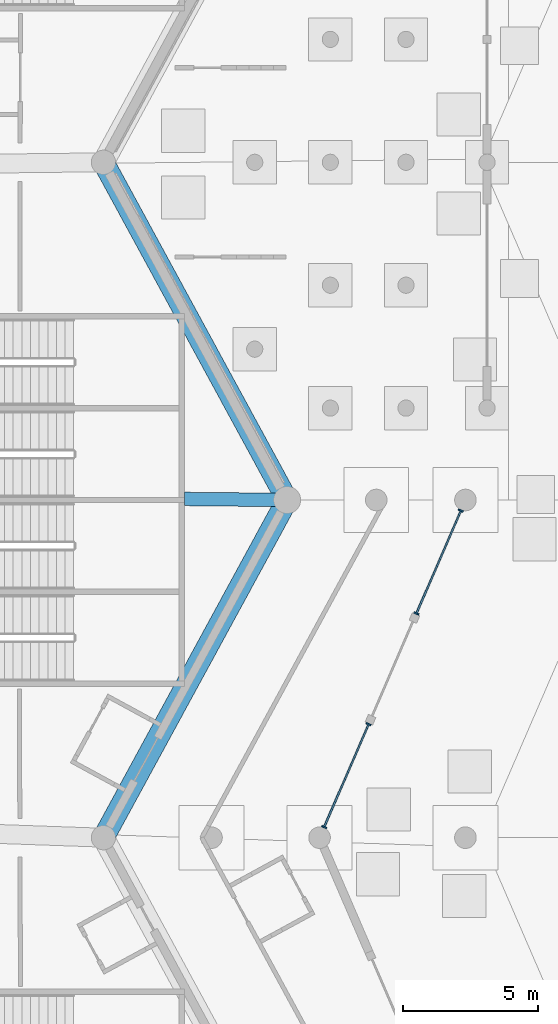
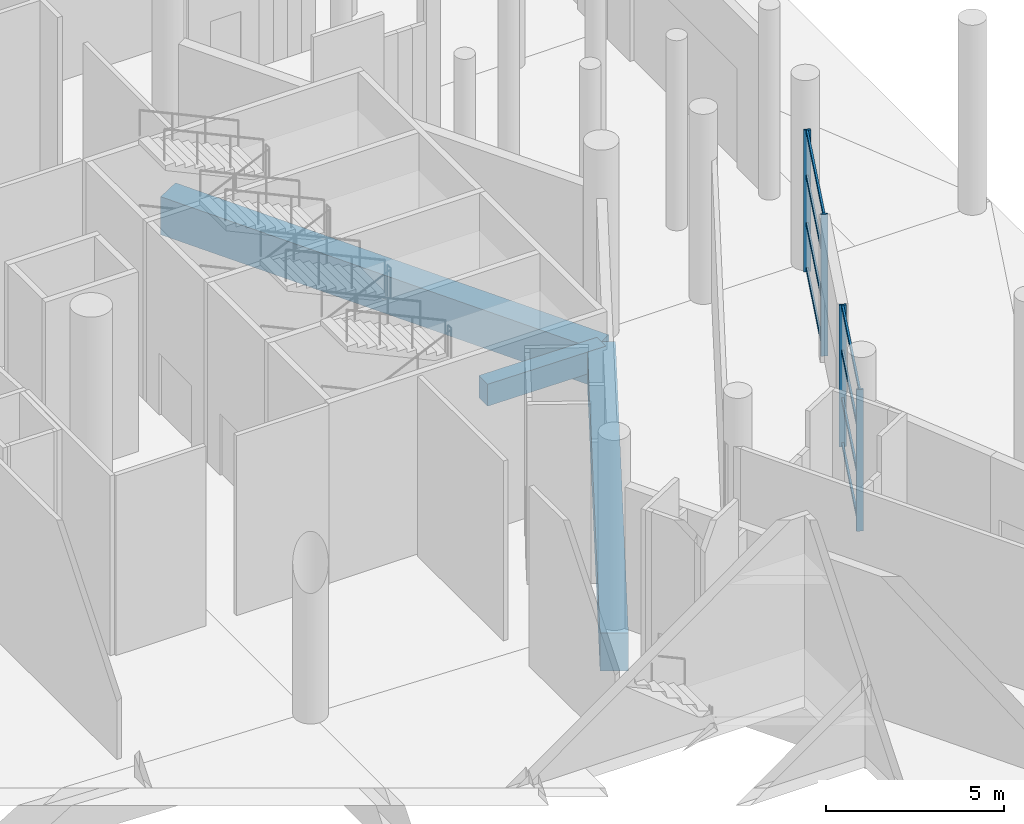
# One storey, part 41 of 255: 12 members, 3 beams, 2 elements without a shape of their own.
"""IFC4 building model written with IfcOpenShell, lengths in metres."""

from ifc_helpers import new_model, si_unit, direction, frame, origin, origin_2d, place, context, subcontext, project, spatial, rectangle, extrude, material, layer, layer_set, material_profile, profile_set, type_object, element, aggregate, save


model = new_model("IFC4")

# Units and contexts
model_context = context("Model", 3, precision=1e-05, world=origin(), true_north=direction((0.0, 1.0)))
body_context = subcontext(model_context, "Body", "Model", "MODEL_VIEW")
ifc_project = project(units=[si_unit("LENGTHUNIT", "METRE"), si_unit("AREAUNIT", "SQUARE_METRE"), si_unit("VOLUMEUNIT", "CUBIC_METRE"), si_unit("PLANEANGLEUNIT", "RADIAN"), si_unit("MASSUNIT", "GRAM", prefix="KILO")], contexts=[model_context])

# Site, building, storey
site_placement = place(None, origin())
site = spatial("IfcSite", under=ifc_project, at=site_placement, CompositionType="ELEMENT")
building_placement = place(site_placement, origin())
building = spatial("IfcBuilding", under=site, at=building_placement, Name="Meseta Stadium", CompositionType="ELEMENT")
storey_placement = place(building_placement, origin())
storey = spatial("IfcBuildingStorey", under=building, at=storey_placement, Name="L00", CompositionType="ELEMENT", Elevation=0.0)

# Beams
ifc_material_1 = material(Name="Concrete C40/50", Category="concrete")
ifc_material_profile_1 = material_profile(ifc_material_1, rectangle(XDim=0.5, YDim=0.75, at=origin_2d()), Name="RC 500x750")
ifc_profile_set_1 = profile_set([ifc_material_profile_1], Name="Concrete C40/50")
beam_type_1 = type_object("IfcBeamType", Name="RC beam 500x750", PredefinedType="BEAM", material=ifc_profile_set_1)
beam_placement = place(storey_placement, frame((97.60009765625, -6.2109375, -0.77490234375), z_axis=(0.999947163614, -0.010279590477, 0.0), x_axis=(0.010279590477, 0.999947163614, 0.0)))
element("IfcBeam", 1, at=beam_placement, inside=storey, type_object=beam_type_1, Name="L00 radial beam frame 4 line P to R", PredefinedType="BEAM", context=body_context, shape_type="SweptSolid", body=[
    extrude(rectangle(XDim=0.5, YDim=0.75, at=origin_2d()), origin(), (0.0, 0.0, 1.0), 3.800048828125),
])
ifc_material_2 = material(Name="Concrete C40/50", Category="concrete")
ifc_material_profile_2 = material_profile(ifc_material_2, rectangle(XDim=0.800048828125, YDim=1.300048828125, at=origin_2d()), Name="RC 800x1300")
ifc_profile_set_2 = profile_set([ifc_material_profile_2], Name="Concrete C40/50")
beam_type_2 = type_object("IfcBeamType", Name="RC beam 800x1300", PredefinedType="BEAM", material=ifc_profile_set_2)
for number, where, z_axis, x_axis, name in (
    (2, (94.60009765625, -18.75, -1.050048828125), (0.47785649891, 0.878437912689, 0.0), (-0.878437912689, 0.47785649891, 0.0), "L00 ring beam frame 3 line R"),
    (3, (101.39990234375, -6.25, -1.050048828125), (-0.47785649891, 0.878437912689, 0.0), (-0.878437912689, -0.47785649891, 0.0), "L00 ring beam frame 4 line R"),
):
    element("IfcBeam", number, at=place(storey_placement, frame(where, z_axis=z_axis, x_axis=x_axis)), inside=storey, type_object=beam_type_2, Name=name, PredefinedType="BEAM", context=body_context, shape_type="SweptSolid", body=[
        extrude(rectangle(XDim=0.800048828125, YDim=1.300048828125, at=origin_2d()), origin(), (0.0, 0.0, 1.0), 14.229736328125),
    ])

# Curtain wall, members
ifc_material_3 = material(Name="Aluminium", Category="aluminium")
ifc_layer = layer(ifc_material_3, 0.199951171875)
ifc_layer_set = layer_set([ifc_layer], Name="Ring shopfront curtain wall")
curtain_wall_type = type_object("IfcCurtainWallType", Name="Ring shopfront curtain wall", PredefinedType="NOTDEFINED", material=ifc_layer_set)
curtain_wall_1_placement = place(storey_placement, origin())
curtain_wall_1 = element("IfcCurtainWall", 4, at=curtain_wall_1_placement, inside=storey, type_object=curtain_wall_type, Name="Shopfront glazing F03a", PredefinedType="NOTDEFINED")
ifc_material_4 = material(Name="Aluminium", Category="aluminium")
ifc_material_profile_3 = material_profile(ifc_material_4, rectangle(XDim=0.199951171875, YDim=0.06005859375, at=origin_2d()), Name="CW 200x60")
ifc_profile_set_3 = profile_set([ifc_material_profile_3], Name="Aluminium")
member_type_1 = type_object("IfcMemberType", Name="Ring CW mullion 60x200", PredefinedType="MULLION", material=ifc_profile_set_3)
member_1_placement = place(storey_placement, frame((102.7705078125, -18.355224609375, 0.0), z_axis=(0.0, 0.0, 1.0), x_axis=(-0.918001803218, 0.396576208678, 0.0)))
member_1 = element("IfcMember", 5, at=member_1_placement, type_object=member_type_1, Name="CWR1 mullion 1", PredefinedType="MULLION", context=body_context, shape_type="SweptSolid", body=[
    extrude(rectangle(XDim=0.199951171875, YDim=0.06005859375, at=origin_2d()), origin(), (0.0, 0.0, 1.0), 4.85009765625),
])
member_2_placement = place(storey_placement, frame((104.41552734375, -14.547119140625, 0.0), z_axis=(0.0, 0.0, 1.0), x_axis=(-0.918001803218, 0.396576208678, 0.0)))
member_2 = element("IfcMember", 6, at=member_2_placement, type_object=member_type_1, Name="CWR1 mullion 2", PredefinedType="MULLION", context=body_context, shape_type="SweptSolid", body=[
    extrude(rectangle(XDim=0.199951171875, YDim=0.06005859375, at=origin_2d()), origin(), (0.0, 0.0, 1.0), 4.85009765625),
])

curtain_wall_2_placement = place(storey_placement, origin())
curtain_wall_2 = element("IfcCurtainWall", 7, at=curtain_wall_2_placement, inside=storey, type_object=curtain_wall_type, Name="Shopfront glazing F03b", PredefinedType="NOTDEFINED")
member_3_placement = place(storey_placement, frame((106.184326171875, -10.452880859375, 0.0), z_axis=(0.0, 0.0, 1.0), x_axis=(-0.918001803218, 0.396576208678, 0.0)))
member_3 = element("IfcMember", 8, at=member_3_placement, type_object=member_type_1, Name="CWR1 mullion 1", PredefinedType="MULLION", context=body_context, shape_type="SweptSolid", body=[
    extrude(rectangle(XDim=0.199951171875, YDim=0.06005859375, at=origin_2d()), origin(), (0.0, 0.0, 1.0), 4.85009765625),
])
member_4_placement = place(storey_placement, frame((107.82958984375, -6.644775390625, 0.0), z_axis=(0.0, 0.0, 1.0), x_axis=(-0.918001803218, 0.396576208678, 0.0)))
member_4 = element("IfcMember", 9, at=member_4_placement, type_object=member_type_1, Name="CWR1 mullion 2", PredefinedType="MULLION", context=body_context, shape_type="SweptSolid", body=[
    extrude(rectangle(XDim=0.199951171875, YDim=0.06005859375, at=origin_2d()), origin(), (0.0, 0.0, 1.0), 4.85009765625),
])

# Member
ifc_material_5 = material(Name="Aluminium", Category="aluminium")
ifc_material_profile_4 = material_profile(ifc_material_5, rectangle(XDim=0.06005859375, YDim=0.14990234375, at=origin_2d()), Name="CW 60x150")
ifc_profile_set_4 = profile_set([ifc_material_profile_4], Name="Aluminium")
member_type_2 = type_object("IfcMemberType", Name="Ring CW transom 60x150", PredefinedType="USERDEFINED", material=ifc_profile_set_4)
member_5_placement = place(storey_placement, frame((102.782470703125, -18.32763671875, 0.074951171875), z_axis=(0.396591585893, 0.917995160118, 0.0), x_axis=(-0.917995160118, 0.396591585893, 0.0)))
member_5 = element("IfcMember", 10, at=member_5_placement, type_object=member_type_2, Name="CWR1 transom 1.1", ObjectType="TRANSOM", PredefinedType="USERDEFINED", context=body_context, shape_type="SweptSolid", body=[
    extrude(rectangle(XDim=0.06005859375, YDim=0.14990234375, at=origin_2d()), origin(), (0.0, 0.0, 1.0), 4.088134765625),
])

member_6_placement = place(storey_placement, frame((102.782470703125, -18.32763671875, 1.61669921875), z_axis=(0.396591585893, 0.917995160118, 0.0), x_axis=(-0.917995160118, 0.396591585893, 0.0)))
member_6 = element("IfcMember", 11, at=member_6_placement, type_object=member_type_2, Name="CWR1 transom 1.2", ObjectType="TRANSOM", PredefinedType="USERDEFINED", context=body_context, shape_type="SweptSolid", body=[
    extrude(rectangle(XDim=0.06005859375, YDim=0.14990234375, at=origin_2d()), origin(), (0.0, 0.0, 1.0), 4.088134765625),
])

member_7_placement = place(storey_placement, frame((102.782470703125, -18.32763671875, 3.2333984375), z_axis=(0.396591585893, 0.917995160118, 0.0), x_axis=(-0.917995160118, 0.396591585893, 0.0)))
member_7 = element("IfcMember", 12, at=member_7_placement, type_object=member_type_2, Name="CWR1 transom 1.3", ObjectType="TRANSOM", PredefinedType="USERDEFINED", context=body_context, shape_type="SweptSolid", body=[
    extrude(rectangle(XDim=0.06005859375, YDim=0.14990234375, at=origin_2d()), origin(), (0.0, 0.0, 1.0), 4.088134765625),
])

member_8_placement = place(storey_placement, frame((102.782470703125, -18.32763671875, 4.77490234375), z_axis=(0.396591585893, 0.917995160118, 0.0), x_axis=(-0.917995160118, 0.396591585893, 0.0)))
member_8 = element("IfcMember", 13, at=member_8_placement, type_object=member_type_2, Name="CWR1 transom 1.4", ObjectType="TRANSOM", PredefinedType="USERDEFINED", context=body_context, shape_type="SweptSolid", body=[
    extrude(rectangle(XDim=0.06005859375, YDim=0.14990234375, at=origin_2d()), origin(), (0.0, 0.0, 1.0), 4.088134765625),
])

aggregate(curtain_wall_1, [member_1, member_2, member_5, member_6, member_7, member_8])

member_9_placement = place(storey_placement, frame((106.1962890625, -10.42529296875, 0.074951171875), z_axis=(0.396591585893, 0.917995160118, 0.0), x_axis=(-0.917995160118, 0.396591585893, 0.0)))
member_9 = element("IfcMember", 14, at=member_9_placement, type_object=member_type_2, Name="CWR1 transom 1.1", ObjectType="TRANSOM", PredefinedType="USERDEFINED", context=body_context, shape_type="SweptSolid", body=[
    extrude(rectangle(XDim=0.06005859375, YDim=0.14990234375, at=origin_2d()), origin(), (0.0, 0.0, 1.0), 4.088134765625),
])

member_10_placement = place(storey_placement, frame((106.1962890625, -10.42529296875, 1.61669921875), z_axis=(0.396591585893, 0.917995160118, 0.0), x_axis=(-0.917995160118, 0.396591585893, 0.0)))
member_10 = element("IfcMember", 15, at=member_10_placement, type_object=member_type_2, Name="CWR1 transom 1.2", ObjectType="TRANSOM", PredefinedType="USERDEFINED", context=body_context, shape_type="SweptSolid", body=[
    extrude(rectangle(XDim=0.06005859375, YDim=0.14990234375, at=origin_2d()), origin(), (0.0, 0.0, 1.0), 4.088134765625),
])

member_11_placement = place(storey_placement, frame((106.1962890625, -10.42529296875, 3.2333984375), z_axis=(0.396591585893, 0.917995160118, 0.0), x_axis=(-0.917995160118, 0.396591585893, 0.0)))
member_11 = element("IfcMember", 16, at=member_11_placement, type_object=member_type_2, Name="CWR1 transom 1.3", ObjectType="TRANSOM", PredefinedType="USERDEFINED", context=body_context, shape_type="SweptSolid", body=[
    extrude(rectangle(XDim=0.06005859375, YDim=0.14990234375, at=origin_2d()), origin(), (0.0, 0.0, 1.0), 4.088134765625),
])

member_12_placement = place(storey_placement, frame((106.1962890625, -10.42529296875, 4.77490234375), z_axis=(0.396591585893, 0.917995160118, 0.0), x_axis=(-0.917995160118, 0.396591585893, 0.0)))
member_12 = element("IfcMember", 17, at=member_12_placement, type_object=member_type_2, Name="CWR1 transom 1.4", ObjectType="TRANSOM", PredefinedType="USERDEFINED", context=body_context, shape_type="SweptSolid", body=[
    extrude(rectangle(XDim=0.06005859375, YDim=0.14990234375, at=origin_2d()), origin(), (0.0, 0.0, 1.0), 4.088134765625),
])

aggregate(curtain_wall_2, [member_3, member_4, member_9, member_10, member_11, member_12])

save(model, "model.ifc")
